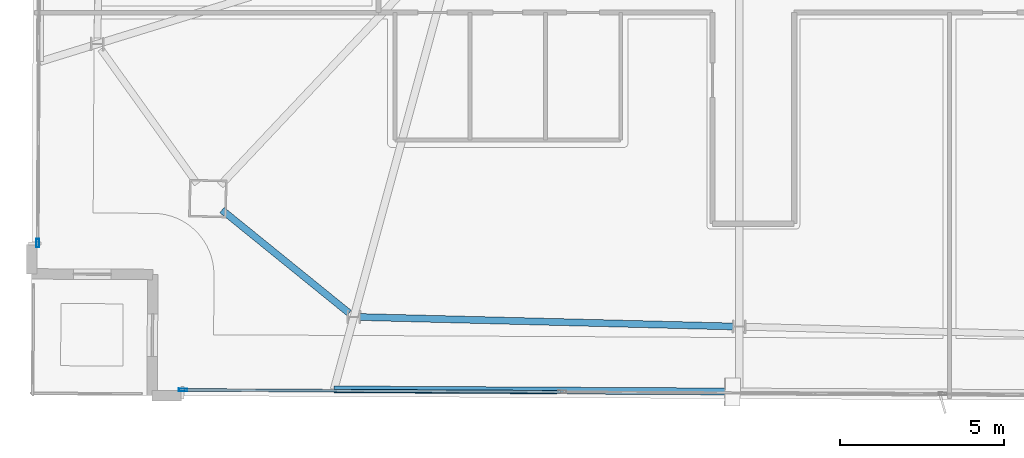
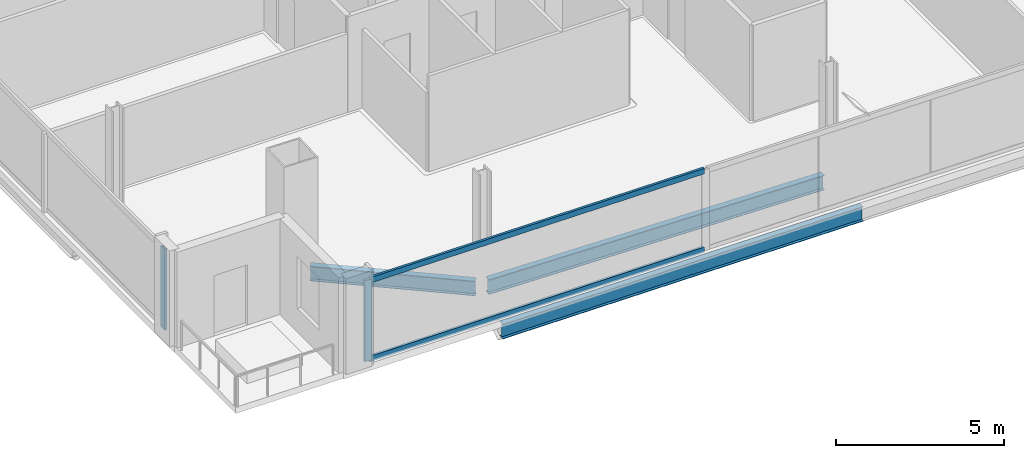
# One storey, part 2 of 24: 4 members, 3 beams, 2 elements without a shape of their own.
"""IFC4 building model written with IfcOpenShell, lengths in metres."""

from ifc_helpers import new_model, si_unit, direction, frame, origin, origin_2d, place, context, subcontext, project, spatial, hollow_rectangle, i_section, extrude, material, material_profile, profile_set, type_object, element, aggregate, save


model = new_model("IFC4")

# Units and contexts
model_context = context("Model", 3, precision=1e-05, world=origin(), true_north=direction((0.0, 1.0)))
body_context = subcontext(model_context, "Body", "Model", "MODEL_VIEW")
ifc_project = project(units=[si_unit("LENGTHUNIT", "METRE"), si_unit("AREAUNIT", "SQUARE_METRE"), si_unit("VOLUMEUNIT", "CUBIC_METRE"), si_unit("PLANEANGLEUNIT", "RADIAN"), si_unit("MASSUNIT", "GRAM", prefix="KILO")], contexts=[model_context])

# Site, building, storey
site_placement = place(None, origin())
site = spatial("IfcSite", under=ifc_project, at=site_placement, CompositionType="ELEMENT")
building_placement = place(site_placement, origin())
building = spatial("IfcBuilding", under=site, at=building_placement, Name="Haldenkirk Collegiate Tower", CompositionType="ELEMENT")
storey_placement = place(building_placement, frame((0.0, 0.0, 328.949951171875)))
storey = spatial("IfcBuildingStorey", under=building, at=storey_placement, Name="L83", CompositionType="ELEMENT", Elevation=328.949951171875)

# Beams
ifc_material_1 = material(Name="Steel ASTM A992 Grade 50", Category="steel")
ifc_material_profile_1 = material_profile(ifc_material_1, i_section(OverallWidth=0.2099609375, OverallDepth=0.537109375, WebThickness=0.010986328125, FlangeThickness=0.017333984375, at=origin_2d()), Name="W21X68")
ifc_profile_set_1 = profile_set([ifc_material_profile_1], Name="Steel ASTM A992 Grade 50")
beam_type = type_object("IfcBeamType", Name="BM-SPANDREL-W21X68", PredefinedType="SPANDREL", material=ifc_profile_set_1)
beam_1_placement = place(storey_placement, frame((19.767578125, 9.51708984375, -0.528564453125), z_axis=(0.776950131303, -0.629562144247, 0.0), x_axis=(0.629562144247, 0.776950131303, 0.0)))
element("IfcBeam", 1, at=beam_1_placement, inside=storey, type_object=beam_type, Name="L83 perimeter spandrel beam 13", PredefinedType="SPANDREL", context=body_context, shape_type="SweptSolid", body=[
    extrude(i_section(OverallWidth=0.2099609375, OverallDepth=0.537109375, WebThickness=0.010986328125, FlangeThickness=0.017333984375, at=origin_2d()), origin(), (0.0, 0.0, 1.0), 4.99755859375),
])
beam_2_placement = place(storey_placement, frame((23.984375, 6.247802734375, -0.528564453125), z_axis=(0.99967950041, -0.02531593293, 0.0), x_axis=(0.02531593293, 0.99967950041, 0.0)))
element("IfcBeam", 2, at=beam_2_placement, inside=storey, type_object=beam_type, Name="L83 perimeter spandrel beam 14", PredefinedType="SPANDREL", context=body_context, shape_type="SweptSolid", body=[
    extrude(i_section(OverallWidth=0.2099609375, OverallDepth=0.537109375, WebThickness=0.010986328125, FlangeThickness=0.017333984375, at=origin_2d()), origin(), (0.0, 0.0, 1.0), 11.39892578125),
])
beam_3_placement = place(storey_placement, frame((23.192138671875, 4.036865234375, -0.528564453125), z_axis=(0.999986231719, -0.0052475111, 0.0), x_axis=(0.0052475111, 0.999986231719, 0.0)))
element("IfcBeam", 3, at=beam_3_placement, inside=storey, type_object=beam_type, Name="L83 outer facade edge beam 4A", PredefinedType="SPANDREL", context=body_context, shape_type="SweptSolid", body=[
    extrude(i_section(OverallWidth=0.2099609375, OverallDepth=0.537109375, WebThickness=0.010986328125, FlangeThickness=0.017333984375, at=origin_2d()), origin(), (0.0, 0.0, 1.0), 12.375732421875),
])

# Curtain wall, member
ifc_material_2 = material(Name="Anodised architectural bronze aluminium", Category="aluminium")
curtain_wall_type = type_object("IfcCurtainWallType", Name="CW-SYS1B-CONVEX-HI", PredefinedType="USERDEFINED", material=ifc_material_2)
curtain_wall_1_placement = place(storey_placement, origin())
curtain_wall_1 = element("IfcCurtainWall", 4, at=curtain_wall_1_placement, inside=storey, type_object=curtain_wall_type, Name="L83 Upper tower high-wind convex bronze unitised curtain wall", ObjectType="UNITISED CURTAIN WALL", PredefinedType="USERDEFINED")
ifc_material_profile_2 = material_profile(ifc_material_2, hollow_rectangle(XDim=0.0849609375, YDim=0.25, WallThickness=0.0048828125, at=origin_2d()), Name="CW-MUL-1B")
ifc_profile_set_2 = profile_set([ifc_material_profile_2], Name="Anodised architectural bronze aluminium")
member_type_1 = type_object("IfcMemberType", Name="CW-MUL-1B", PredefinedType="MULLION", material=ifc_profile_set_2)
member_1_placement = place(storey_placement, frame((14.13818359375, 8.5068359375, 0.0), z_axis=(0.0, 0.0, 1.0), x_axis=(-0.999986296614, 0.00523512989, 0.0)))
member_1 = element("IfcMember", 5, at=member_1_placement, type_object=member_type_1, Name="CW-1B mullion 1", PredefinedType="MULLION", context=body_context, shape_type="SweptSolid", body=[
    extrude(hollow_rectangle(XDim=0.0849609375, YDim=0.25, WallThickness=0.0048828125, at=origin_2d()), origin(), (0.0, 0.0, 1.0), 2.947998046875),
])
aggregate(curtain_wall_1, [member_1])

# Curtain wall, members
curtain_wall_2_placement = place(storey_placement, origin())
curtain_wall_2 = element("IfcCurtainWall", 6, at=curtain_wall_2_placement, inside=storey, type_object=curtain_wall_type, Name="L83 Upper tower high-wind convex bronze unitised curtain wall", ObjectType="UNITISED CURTAIN WALL", PredefinedType="USERDEFINED")
member_2_placement = place(storey_placement, frame((18.5771484375, 4.02099609375, 0.0), z_axis=(0.0, 0.0, 1.0), x_axis=(-0.005238712897, -0.999986277849, 0.0)))
member_2 = element("IfcMember", 7, at=member_2_placement, type_object=member_type_1, Name="CW-1B mullion 4", PredefinedType="MULLION", context=body_context, shape_type="SweptSolid", body=[
    extrude(hollow_rectangle(XDim=0.0849609375, YDim=0.25, WallThickness=0.0048828125, at=origin_2d()), origin(), (0.0, 0.0, 1.0), 2.947998046875),
])
ifc_material_profile_3 = material_profile(ifc_material_2, hollow_rectangle(XDim=0.0849609375, YDim=0.199951171875, WallThickness=0.0048828125, at=origin_2d()), Name="CW-TRN-1B")
ifc_profile_set_3 = profile_set([ifc_material_profile_3], Name="Anodised architectural bronze aluminium")
member_type_2 = type_object("IfcMemberType", Name="CW-TRN-1B", PredefinedType="USERDEFINED", material=ifc_profile_set_3)
member_3_placement = place(storey_placement, frame((30.116943359375, 3.96044921875, 0.04248046875), z_axis=(-0.999986245581, 0.005244868721, 0.0), x_axis=(-0.005244868721, -0.999986245581, 0.0)))
member_3 = element("IfcMember", 8, at=member_3_placement, type_object=member_type_2, Name="CW-1B transom 3.1", ObjectType="TRANSOM", PredefinedType="USERDEFINED", context=body_context, shape_type="SweptSolid", body=[
    extrude(hollow_rectangle(XDim=0.0849609375, YDim=0.199951171875, WallThickness=0.0048828125, at=origin_2d()), origin(), (0.0, 0.0, 1.0), 11.49755859375),
])
member_4_placement = place(storey_placement, frame((30.116943359375, 3.96044921875, 2.905517578125), z_axis=(-0.999986245581, 0.005244868721, 0.0), x_axis=(-0.005244868721, -0.999986245581, 0.0)))
member_4 = element("IfcMember", 9, at=member_4_placement, type_object=member_type_2, Name="CW-1B transom 3.2", ObjectType="TRANSOM", PredefinedType="USERDEFINED", context=body_context, shape_type="SweptSolid", body=[
    extrude(hollow_rectangle(XDim=0.0849609375, YDim=0.199951171875, WallThickness=0.0048828125, at=origin_2d()), origin(), (0.0, 0.0, 1.0), 11.49755859375),
])
aggregate(curtain_wall_2, [member_2, member_3, member_4])

save(model, "model.ifc")
